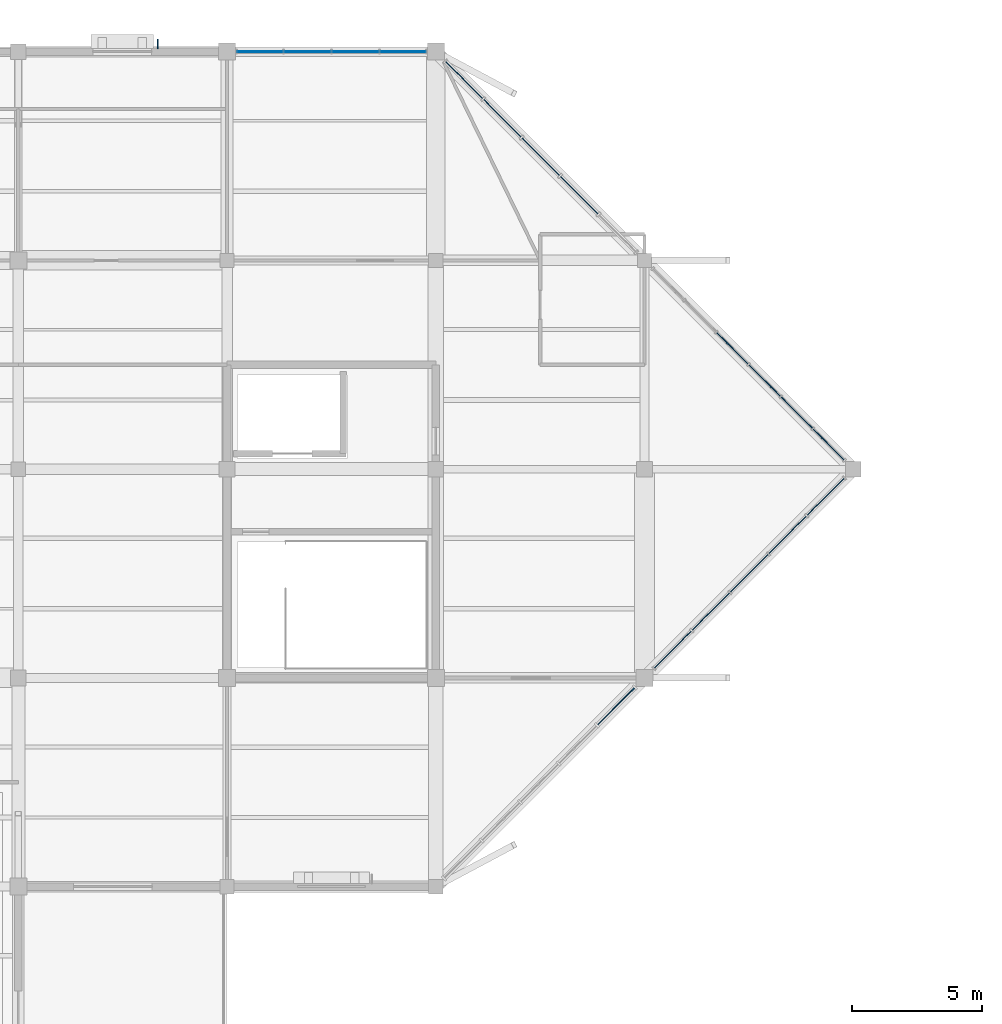
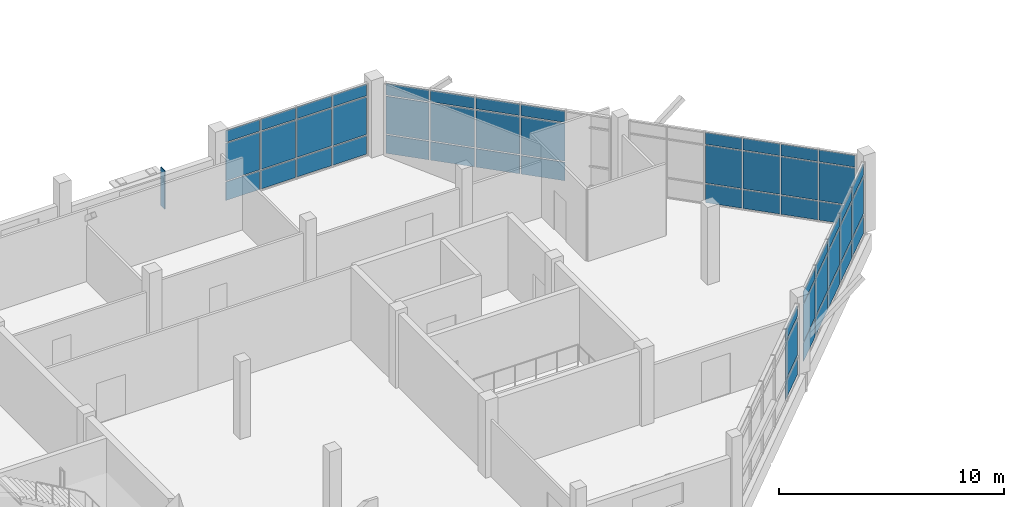
# One storey, part 56 of 72: 55 plates, 5 elements without a shape of their own.
"""IFC4 building model written with IfcOpenShell, lengths in metres."""

from ifc_helpers import new_model, si_unit, direction, frame, origin, origin_2d, place, context, subcontext, project, spatial, rectangle, extrude, material, layer, layer_set, type_object, element, aggregate, save


model = new_model("IFC4")

# Units and contexts
model_context = context("Model", 3, precision=1e-05, world=origin(), true_north=direction((0.0, 1.0)))
body_context = subcontext(model_context, "Body", "Model", "MODEL_VIEW")
ifc_project = project(units=[si_unit("LENGTHUNIT", "METRE"), si_unit("AREAUNIT", "SQUARE_METRE"), si_unit("VOLUMEUNIT", "CUBIC_METRE"), si_unit("PLANEANGLEUNIT", "RADIAN"), si_unit("MASSUNIT", "GRAM", prefix="KILO")], contexts=[model_context])

# Site, building, storey
site_placement = place(None, origin())
site = spatial("IfcSite", under=ifc_project, at=site_placement, CompositionType="ELEMENT")
building_placement = place(site_placement, origin())
building = spatial("IfcBuilding", under=site, at=building_placement, Name="Tenunan Teduh Sports Hall", CompositionType="ELEMENT")
storey_placement = place(building_placement, frame((0.0, 0.0, 15.0)))
storey = spatial("IfcBuildingStorey", under=building, at=storey_placement, Name="L03", CompositionType="ELEMENT", Elevation=15.0)

# Curtain wall, plates
ifc_material_1 = material(Name="Anodised aluminium", Category="aluminium")
curtain_wall_type = type_object("IfcCurtainWallType", Name="CW-UNIT-2", PredefinedType="NOTDEFINED", material=ifc_material_1)
curtain_wall_1_placement = place(storey_placement, origin())
curtain_wall_1 = element("IfcCurtainWall", 1, at=curtain_wall_1_placement, inside=storey, type_object=curtain_wall_type, Name="CW-CWM-175-L03-222", PredefinedType="NOTDEFINED")
ifc_material_2 = material(Name="Low-E laminated double glazing", Category="glass")
ifc_layer_1 = layer(ifc_material_2, 0.028076171875)
ifc_layer_set_1 = layer_set([ifc_layer_1], Name="Low-E laminated double glazing")
plate_type_1 = type_object("IfcPlateType", Name="CWP-GLZ-28", PredefinedType="CURTAIN_PANEL", material=ifc_layer_set_1)
plate_1_placement = place(storey_placement, frame((71.087158203125, 95.087158203125, 1.13232421875), z_axis=(0.0, 0.0, 1.0), x_axis=(0.707106781187, 0.707106781187, 0.0)))
plate_1 = element("IfcPlate", 2, at=plate_1_placement, type_object=plate_type_1, Name="CW-02 panel 1.2", PredefinedType="CURTAIN_PANEL", context=body_context, shape_type="SweptSolid", body=[
    extrude(rectangle(XDim=1.9794921875, YDim=0.028076171875, at=origin_2d()), origin(), (0.0, 0.0, 1.0), 2.034912109375),
])
plate_2_placement = place(storey_placement, frame((71.087158203125, 95.087158203125, 3.232421875), z_axis=(0.0, 0.0, 1.0), x_axis=(0.707106781187, 0.707106781187, 0.0)))
plate_2 = element("IfcPlate", 3, at=plate_2_placement, type_object=plate_type_1, Name="CW-02 panel 1.3", PredefinedType="CURTAIN_PANEL", context=body_context, shape_type="SweptSolid", body=[
    extrude(rectangle(XDim=1.9794921875, YDim=0.028076171875, at=origin_2d()), origin(), (0.0, 0.0, 1.0), 0.62255859375),
])
plate_3_placement = place(storey_placement, frame((72.54443359375, 96.54443359375, 1.13232421875), z_axis=(0.0, 0.0, 1.0), x_axis=(0.707106781187, 0.707106781187, 0.0)))
plate_3 = element("IfcPlate", 4, at=plate_3_placement, type_object=plate_type_1, Name="CW-02 panel 2.2", PredefinedType="CURTAIN_PANEL", context=body_context, shape_type="SweptSolid", body=[
    extrude(rectangle(XDim=2.01220703125, YDim=0.028076171875, at=origin_2d()), origin(), (0.0, 0.0, 1.0), 2.034912109375),
])
plate_4_placement = place(storey_placement, frame((72.54443359375, 96.54443359375, 3.232421875), z_axis=(0.0, 0.0, 1.0), x_axis=(0.707106781187, 0.707106781187, 0.0)))
plate_4 = element("IfcPlate", 5, at=plate_4_placement, type_object=plate_type_1, Name="CW-02 panel 2.3", PredefinedType="CURTAIN_PANEL", context=body_context, shape_type="SweptSolid", body=[
    extrude(rectangle(XDim=2.01220703125, YDim=0.028076171875, at=origin_2d()), origin(), (0.0, 0.0, 1.0), 0.62255859375),
])
plate_5_placement = place(storey_placement, frame((74.01318359375, 98.01318359375, 1.13232421875), z_axis=(0.0, 0.0, 1.0), x_axis=(0.707106781187, 0.707106781187, 0.0)))
plate_5 = element("IfcPlate", 6, at=plate_5_placement, type_object=plate_type_1, Name="CW-02 panel 3.2", PredefinedType="CURTAIN_PANEL", context=body_context, shape_type="SweptSolid", body=[
    extrude(rectangle(XDim=2.01220703125, YDim=0.028076171875, at=origin_2d()), origin(), (0.0, 0.0, 1.0), 2.034912109375),
])
plate_6_placement = place(storey_placement, frame((74.01318359375, 98.01318359375, 3.232421875), z_axis=(0.0, 0.0, 1.0), x_axis=(0.707106781187, 0.707106781187, 0.0)))
plate_6 = element("IfcPlate", 7, at=plate_6_placement, type_object=plate_type_1, Name="CW-02 panel 3.3", PredefinedType="CURTAIN_PANEL", context=body_context, shape_type="SweptSolid", body=[
    extrude(rectangle(XDim=2.01220703125, YDim=0.028076171875, at=origin_2d()), origin(), (0.0, 0.0, 1.0), 0.62255859375),
])
plate_7_placement = place(storey_placement, frame((75.48193359375, 99.48193359375, 1.13232421875), z_axis=(0.0, 0.0, 1.0), x_axis=(0.707106781187, 0.707106781187, 0.0)))
plate_7 = element("IfcPlate", 8, at=plate_7_placement, type_object=plate_type_1, Name="CW-02 panel 4.2", PredefinedType="CURTAIN_PANEL", context=body_context, shape_type="SweptSolid", body=[
    extrude(rectangle(XDim=2.01220703125, YDim=0.028076171875, at=origin_2d()), origin(), (0.0, 0.0, 1.0), 2.034912109375),
])
plate_8_placement = place(storey_placement, frame((75.48193359375, 99.48193359375, 3.232421875), z_axis=(0.0, 0.0, 1.0), x_axis=(0.707106781187, 0.707106781187, 0.0)))
plate_8 = element("IfcPlate", 9, at=plate_8_placement, type_object=plate_type_1, Name="CW-02 panel 4.3", PredefinedType="CURTAIN_PANEL", context=body_context, shape_type="SweptSolid", body=[
    extrude(rectangle(XDim=2.01220703125, YDim=0.028076171875, at=origin_2d()), origin(), (0.0, 0.0, 1.0), 0.62255859375),
])
plate_9_placement = place(storey_placement, frame((76.939208984375, 100.939208984375, 1.13232421875), z_axis=(0.0, 0.0, 1.0), x_axis=(0.707106781187, 0.707106781187, 0.0)))
plate_9 = element("IfcPlate", 10, at=plate_9_placement, type_object=plate_type_1, Name="CW-02 panel 5.2", PredefinedType="CURTAIN_PANEL", context=body_context, shape_type="SweptSolid", body=[
    extrude(rectangle(XDim=1.9794921875, YDim=0.028076171875, at=origin_2d()), origin(), (0.0, 0.0, 1.0), 2.034912109375),
])
plate_10_placement = place(storey_placement, frame((76.939208984375, 100.939208984375, 3.232421875), z_axis=(0.0, 0.0, 1.0), x_axis=(0.707106781187, 0.707106781187, 0.0)))
plate_10 = element("IfcPlate", 11, at=plate_10_placement, type_object=plate_type_1, Name="CW-02 panel 5.3", PredefinedType="CURTAIN_PANEL", context=body_context, shape_type="SweptSolid", body=[
    extrude(rectangle(XDim=1.9794921875, YDim=0.028076171875, at=origin_2d()), origin(), (0.0, 0.0, 1.0), 0.62255859375),
])

curtain_wall_2_placement = place(storey_placement, origin())
curtain_wall_2 = element("IfcCurtainWall", 12, at=curtain_wall_2_placement, inside=storey, type_object=curtain_wall_type, Name="CW-CWM-200-L03-224", PredefinedType="NOTDEFINED")
plate_11_placement = place(storey_placement, frame((67.500244140625, 112.499755859375, 1.134765625), z_axis=(0.0, 0.0, 1.0), x_axis=(-0.707106781187, 0.707106781187, 0.0)))
plate_11 = element("IfcPlate", 13, at=plate_11_placement, type_object=plate_type_1, Name="CW-02 panel 2.2", PredefinedType="CURTAIN_PANEL", context=body_context, shape_type="SweptSolid", body=[
    extrude(rectangle(XDim=2.0146484375, YDim=0.028076171875, at=origin_2d()), origin(), (0.0, 0.0, 1.0), 2.030029296875),
])
plate_12_placement = place(storey_placement, frame((67.500244140625, 112.499755859375, 3.23486328125), z_axis=(0.0, 0.0, 1.0), x_axis=(-0.707106781187, 0.707106781187, 0.0)))
plate_12 = element("IfcPlate", 14, at=plate_12_placement, type_object=plate_type_1, Name="CW-02 panel 2.3", PredefinedType="CURTAIN_PANEL", context=body_context, shape_type="SweptSolid", body=[
    extrude(rectangle(XDim=2.0146484375, YDim=0.028076171875, at=origin_2d()), origin(), (0.0, 0.0, 1.0), 0.614990234375),
])
plate_13_placement = place(storey_placement, frame((66.0263671875, 113.9736328125, 1.134765625), z_axis=(0.0, 0.0, 1.0), x_axis=(-0.707106781187, 0.707106781187, 0.0)))
plate_13 = element("IfcPlate", 15, at=plate_13_placement, type_object=plate_type_1, Name="CW-02 panel 3.2", PredefinedType="CURTAIN_PANEL", context=body_context, shape_type="SweptSolid", body=[
    extrude(rectangle(XDim=2.0146484375, YDim=0.028076171875, at=origin_2d()), origin(), (0.0, 0.0, 1.0), 2.030029296875),
])
plate_14_placement = place(storey_placement, frame((66.0263671875, 113.9736328125, 3.23486328125), z_axis=(0.0, 0.0, 1.0), x_axis=(-0.707106781187, 0.707106781187, 0.0)))
plate_14 = element("IfcPlate", 16, at=plate_14_placement, type_object=plate_type_1, Name="CW-02 panel 3.3", PredefinedType="CURTAIN_PANEL", context=body_context, shape_type="SweptSolid", body=[
    extrude(rectangle(XDim=2.0146484375, YDim=0.028076171875, at=origin_2d()), origin(), (0.0, 0.0, 1.0), 0.614990234375),
])
plate_15_placement = place(storey_placement, frame((64.55224609375, 115.44775390625, 1.134765625), z_axis=(0.0, 0.0, 1.0), x_axis=(-0.707106781187, 0.707106781187, 0.0)))
plate_15 = element("IfcPlate", 17, at=plate_15_placement, type_object=plate_type_1, Name="CW-02 panel 4.2", PredefinedType="CURTAIN_PANEL", context=body_context, shape_type="SweptSolid", body=[
    extrude(rectangle(XDim=2.0146484375, YDim=0.028076171875, at=origin_2d()), origin(), (0.0, 0.0, 1.0), 2.030029296875),
])
plate_16_placement = place(storey_placement, frame((64.55224609375, 115.44775390625, 3.23486328125), z_axis=(0.0, 0.0, 1.0), x_axis=(-0.707106781187, 0.707106781187, 0.0)))
plate_16 = element("IfcPlate", 18, at=plate_16_placement, type_object=plate_type_1, Name="CW-02 panel 4.3", PredefinedType="CURTAIN_PANEL", context=body_context, shape_type="SweptSolid", body=[
    extrude(rectangle(XDim=2.0146484375, YDim=0.028076171875, at=origin_2d()), origin(), (0.0, 0.0, 1.0), 0.614990234375),
])
plate_17_placement = place(storey_placement, frame((63.090576171875, 116.909423828125, 1.134765625), z_axis=(0.0, 0.0, 1.0), x_axis=(-0.707106781187, 0.707106781187, 0.0)))
plate_17 = element("IfcPlate", 19, at=plate_17_placement, type_object=plate_type_1, Name="CW-02 panel 5.2", PredefinedType="CURTAIN_PANEL", context=body_context, shape_type="SweptSolid", body=[
    extrude(rectangle(XDim=1.9794921875, YDim=0.028076171875, at=origin_2d()), origin(), (0.0, 0.0, 1.0), 2.030029296875),
])
plate_18_placement = place(storey_placement, frame((63.090576171875, 116.909423828125, 3.23486328125), z_axis=(0.0, 0.0, 1.0), x_axis=(-0.707106781187, 0.707106781187, 0.0)))
plate_18 = element("IfcPlate", 20, at=plate_18_placement, type_object=plate_type_1, Name="CW-02 panel 5.3", PredefinedType="CURTAIN_PANEL", context=body_context, shape_type="SweptSolid", body=[
    extrude(rectangle(XDim=1.9794921875, YDim=0.028076171875, at=origin_2d()), origin(), (0.0, 0.0, 1.0), 0.614990234375),
])

curtain_wall_3_placement = place(storey_placement, origin())
curtain_wall_3 = element("IfcCurtainWall", 21, at=curtain_wall_3_placement, inside=storey, type_object=curtain_wall_type, Name="CW-CWM-175-L03-226", PredefinedType="NOTDEFINED")
plate_19_placement = place(storey_placement, frame((55.260009765625, 118.0, 1.13232421875), z_axis=(0.0, 0.0, 1.0), x_axis=(1.0, 0.0, 0.0)))
plate_19 = element("IfcPlate", 22, at=plate_19_placement, type_object=plate_type_1, Name="CW-02 panel 1.2", PredefinedType="CURTAIN_PANEL", context=body_context, shape_type="SweptSolid", body=[
    extrude(rectangle(XDim=1.739990234375, YDim=0.028076171875, at=origin_2d()), origin(), (0.0, 0.0, 1.0), 2.034912109375),
])
plate_20_placement = place(storey_placement, frame((55.260009765625, 118.0, 3.232421875), z_axis=(0.0, 0.0, 1.0), x_axis=(1.0, 0.0, 0.0)))
plate_20 = element("IfcPlate", 23, at=plate_20_placement, type_object=plate_type_1, Name="CW-02 panel 1.3", PredefinedType="CURTAIN_PANEL", context=body_context, shape_type="SweptSolid", body=[
    extrude(rectangle(XDim=1.739990234375, YDim=0.028076171875, at=origin_2d()), origin(), (0.0, 0.0, 1.0), 0.62255859375),
])
plate_21_placement = place(storey_placement, frame((57.081298828125, 118.0, 1.13232421875), z_axis=(0.0, 0.0, 1.0), x_axis=(1.0, 0.0, 0.0)))
plate_21 = element("IfcPlate", 24, at=plate_21_placement, type_object=plate_type_1, Name="CW-02 panel 2.2", PredefinedType="CURTAIN_PANEL", context=body_context, shape_type="SweptSolid", body=[
    extrude(rectangle(XDim=1.7724609375, YDim=0.028076171875, at=origin_2d()), origin(), (0.0, 0.0, 1.0), 2.034912109375),
])
plate_22_placement = place(storey_placement, frame((57.081298828125, 118.0, 3.232421875), z_axis=(0.0, 0.0, 1.0), x_axis=(1.0, 0.0, 0.0)))
plate_22 = element("IfcPlate", 25, at=plate_22_placement, type_object=plate_type_1, Name="CW-02 panel 2.3", PredefinedType="CURTAIN_PANEL", context=body_context, shape_type="SweptSolid", body=[
    extrude(rectangle(XDim=1.7724609375, YDim=0.028076171875, at=origin_2d()), origin(), (0.0, 0.0, 1.0), 0.62255859375),
])
plate_23_placement = place(storey_placement, frame((58.918701171875, 118.0, 1.13232421875), z_axis=(0.0, 0.0, 1.0), x_axis=(1.0, 0.0, 0.0)))
plate_23 = element("IfcPlate", 26, at=plate_23_placement, type_object=plate_type_1, Name="CW-02 panel 3.2", PredefinedType="CURTAIN_PANEL", context=body_context, shape_type="SweptSolid", body=[
    extrude(rectangle(XDim=1.7724609375, YDim=0.028076171875, at=origin_2d()), origin(), (0.0, 0.0, 1.0), 2.034912109375),
])
plate_24_placement = place(storey_placement, frame((58.918701171875, 118.0, 3.232421875), z_axis=(0.0, 0.0, 1.0), x_axis=(1.0, 0.0, 0.0)))
plate_24 = element("IfcPlate", 27, at=plate_24_placement, type_object=plate_type_1, Name="CW-02 panel 3.3", PredefinedType="CURTAIN_PANEL", context=body_context, shape_type="SweptSolid", body=[
    extrude(rectangle(XDim=1.7724609375, YDim=0.028076171875, at=origin_2d()), origin(), (0.0, 0.0, 1.0), 0.62255859375),
])
plate_25_placement = place(storey_placement, frame((60.739990234375, 118.0, 1.13232421875), z_axis=(0.0, 0.0, 1.0), x_axis=(1.0, 0.0, 0.0)))
plate_25 = element("IfcPlate", 28, at=plate_25_placement, type_object=plate_type_1, Name="CW-02 panel 4.2", PredefinedType="CURTAIN_PANEL", context=body_context, shape_type="SweptSolid", body=[
    extrude(rectangle(XDim=1.739990234375, YDim=0.028076171875, at=origin_2d()), origin(), (0.0, 0.0, 1.0), 2.034912109375),
])
plate_26_placement = place(storey_placement, frame((60.739990234375, 118.0, 3.232421875), z_axis=(0.0, 0.0, 1.0), x_axis=(1.0, 0.0, 0.0)))
plate_26 = element("IfcPlate", 29, at=plate_26_placement, type_object=plate_type_1, Name="CW-02 panel 4.3", PredefinedType="CURTAIN_PANEL", context=body_context, shape_type="SweptSolid", body=[
    extrude(rectangle(XDim=1.739990234375, YDim=0.028076171875, at=origin_2d()), origin(), (0.0, 0.0, 1.0), 0.62255859375),
])

curtain_wall_4_placement = place(storey_placement, origin())
curtain_wall_4 = element("IfcCurtainWall", 30, at=curtain_wall_4_placement, inside=storey, type_object=curtain_wall_type, Name="CW-CWM-220-L03-221", PredefinedType="NOTDEFINED")
ifc_material_3 = material(Name="Solar-control laminated glazing", Category="glass")
ifc_layer_2 = layer(ifc_material_3, 0.031982421875)
ifc_layer_set_2 = layer_set([ifc_layer_2], Name="Solar-control laminated glazing")
plate_type_2 = type_object("IfcPlateType", Name="CWP-GLZ-32", PredefinedType="CURTAIN_PANEL", material=ifc_layer_set_2)
plate_27_placement = place(storey_placement, frame((68.908447265625, 92.908447265625, 1.137451171875), z_axis=(0.0, 0.0, 1.0), x_axis=(0.707101983943, 0.707111578398, 0.0)))
plate_27 = element("IfcPlate", 31, at=plate_27_placement, type_object=plate_type_2, Name="CW-02 panel 5.2", PredefinedType="CURTAIN_PANEL", context=body_context, shape_type="SweptSolid", body=[
    extrude(rectangle(XDim=1.971923828125, YDim=0.031982421875, at=origin_2d()), origin(), (0.0, 0.0, 1.0), 2.02490234375),
])
plate_28_placement = place(storey_placement, frame((68.908447265625, 92.908447265625, 3.237548828125), z_axis=(0.0, 0.0, 1.0), x_axis=(0.707101983943, 0.707111578398, 0.0)))
plate_28 = element("IfcPlate", 32, at=plate_28_placement, type_object=plate_type_2, Name="CW-02 panel 5.3", PredefinedType="CURTAIN_PANEL", context=body_context, shape_type="SweptSolid", body=[
    extrude(rectangle(XDim=1.971923828125, YDim=0.031982421875, at=origin_2d()), origin(), (0.0, 0.0, 1.0), 0.607421875),
])

curtain_wall_5_placement = place(storey_placement, origin())
curtain_wall_5 = element("IfcCurtainWall", 33, at=curtain_wall_5_placement, inside=storey, type_object=curtain_wall_type, Name="CW-CWM-150-L03-223", PredefinedType="NOTDEFINED")
plate_29_placement = place(storey_placement, frame((77.05810546875, 102.94189453125, 1.1298828125), z_axis=(0.0, 0.0, 1.0), x_axis=(-0.707106781187, 0.707106781187, 0.0)))
plate_29 = element("IfcPlate", 34, at=plate_29_placement, type_object=plate_type_2, Name="CW-02 panel 1.2", PredefinedType="CURTAIN_PANEL", context=body_context, shape_type="SweptSolid", body=[
    extrude(rectangle(XDim=1.6533203125, YDim=0.031982421875, at=origin_2d()), origin(), (0.0, 0.0, 1.0), 2.0400390625),
])
plate_30_placement = place(storey_placement, frame((77.05810546875, 102.94189453125, 3.22998046875), z_axis=(0.0, 0.0, 1.0), x_axis=(-0.707106781187, 0.707106781187, 0.0)))
plate_30 = element("IfcPlate", 35, at=plate_30_placement, type_object=plate_type_2, Name="CW-02 panel 1.3", PredefinedType="CURTAIN_PANEL", context=body_context, shape_type="SweptSolid", body=[
    extrude(rectangle(XDim=1.6533203125, YDim=0.031982421875, at=origin_2d()), origin(), (0.0, 0.0, 1.0), 0.6298828125),
])
plate_31_placement = place(storey_placement, frame((75.8359375, 104.1640625, 1.1298828125), z_axis=(0.0, 0.0, 1.0), x_axis=(-0.707106781187, 0.707106781187, 0.0)))
plate_31 = element("IfcPlate", 36, at=plate_31_placement, type_object=plate_type_2, Name="CW-02 panel 2.2", PredefinedType="CURTAIN_PANEL", context=body_context, shape_type="SweptSolid", body=[
    extrude(rectangle(XDim=1.683349609375, YDim=0.031982421875, at=origin_2d()), origin(), (0.0, 0.0, 1.0), 2.0400390625),
])
plate_32_placement = place(storey_placement, frame((75.8359375, 104.1640625, 3.22998046875), z_axis=(0.0, 0.0, 1.0), x_axis=(-0.707106781187, 0.707106781187, 0.0)))
plate_32 = element("IfcPlate", 37, at=plate_32_placement, type_object=plate_type_2, Name="CW-02 panel 2.3", PredefinedType="CURTAIN_PANEL", context=body_context, shape_type="SweptSolid", body=[
    extrude(rectangle(XDim=1.683349609375, YDim=0.031982421875, at=origin_2d()), origin(), (0.0, 0.0, 1.0), 0.6298828125),
])
plate_33_placement = place(storey_placement, frame((74.603271484375, 105.396728515625, 1.1298828125), z_axis=(0.0, 0.0, 1.0), x_axis=(-0.707106781187, 0.707106781187, 0.0)))
plate_33 = element("IfcPlate", 38, at=plate_33_placement, type_object=plate_type_2, Name="CW-02 panel 3.2", PredefinedType="CURTAIN_PANEL", context=body_context, shape_type="SweptSolid", body=[
    extrude(rectangle(XDim=1.683349609375, YDim=0.031982421875, at=origin_2d()), origin(), (0.0, 0.0, 1.0), 2.0400390625),
])
plate_34_placement = place(storey_placement, frame((74.603271484375, 105.396728515625, 3.22998046875), z_axis=(0.0, 0.0, 1.0), x_axis=(-0.707106781187, 0.707106781187, 0.0)))
plate_34 = element("IfcPlate", 39, at=plate_34_placement, type_object=plate_type_2, Name="CW-02 panel 3.3", PredefinedType="CURTAIN_PANEL", context=body_context, shape_type="SweptSolid", body=[
    extrude(rectangle(XDim=1.683349609375, YDim=0.031982421875, at=origin_2d()), origin(), (0.0, 0.0, 1.0), 0.6298828125),
])
plate_35_placement = place(storey_placement, frame((73.37060546875, 106.62939453125, 1.1298828125), z_axis=(0.0, 0.0, 1.0), x_axis=(-0.707106781187, 0.707106781187, 0.0)))
plate_35 = element("IfcPlate", 40, at=plate_35_placement, type_object=plate_type_2, Name="CW-02 panel 4.2", PredefinedType="CURTAIN_PANEL", context=body_context, shape_type="SweptSolid", body=[
    extrude(rectangle(XDim=1.683349609375, YDim=0.031982421875, at=origin_2d()), origin(), (0.0, 0.0, 1.0), 2.0400390625),
])
plate_36_placement = place(storey_placement, frame((73.37060546875, 106.62939453125, 3.22998046875), z_axis=(0.0, 0.0, 1.0), x_axis=(-0.707106781187, 0.707106781187, 0.0)))
plate_36 = element("IfcPlate", 41, at=plate_36_placement, type_object=plate_type_2, Name="CW-02 panel 4.3", PredefinedType="CURTAIN_PANEL", context=body_context, shape_type="SweptSolid", body=[
    extrude(rectangle(XDim=1.683349609375, YDim=0.031982421875, at=origin_2d()), origin(), (0.0, 0.0, 1.0), 0.6298828125),
])

# Plate
ifc_material_4 = material(Name="Insulated aluminium spandrel panel", Category="aluminium")
ifc_layer_3 = layer(ifc_material_4, 0.044921875)
ifc_layer_set_3 = layer_set([ifc_layer_3], Name="Insulated aluminium spandrel panel")
plate_type_3 = type_object("IfcPlateType", Name="CWP-SPN-45", PredefinedType="CURTAIN_PANEL", material=ifc_layer_set_3)
plate_37_placement = place(storey_placement, frame((68.908447265625, 92.908447265625, 0.0751953125), z_axis=(0.0, 0.0, 1.0), x_axis=(0.707101983943, 0.707111578398, 0.0)))
plate_37 = element("IfcPlate", 42, at=plate_37_placement, type_object=plate_type_3, Name="CW-02 panel 5.1", PredefinedType="CURTAIN_PANEL", context=body_context, shape_type="SweptSolid", body=[
    extrude(rectangle(XDim=1.971923828125, YDim=0.031982421875, at=origin_2d()), origin(), (0.0, 0.0, 1.0), 0.987548828125),
])

aggregate(curtain_wall_4, [plate_37, plate_27, plate_28])

plate_38_placement = place(storey_placement, frame((71.087158203125, 95.087158203125, 0.06494140625), z_axis=(0.0, 0.0, 1.0), x_axis=(0.707106781187, 0.707106781187, 0.0)))
plate_38 = element("IfcPlate", 43, at=plate_38_placement, type_object=plate_type_3, Name="CW-02 panel 1.1", PredefinedType="CURTAIN_PANEL", context=body_context, shape_type="SweptSolid", body=[
    extrude(rectangle(XDim=1.9794921875, YDim=0.028076171875, at=origin_2d()), origin(), (0.0, 0.0, 1.0), 1.00244140625),
])

plate_39_placement = place(storey_placement, frame((72.54443359375, 96.54443359375, 0.06494140625), z_axis=(0.0, 0.0, 1.0), x_axis=(0.707106781187, 0.707106781187, 0.0)))
plate_39 = element("IfcPlate", 44, at=plate_39_placement, type_object=plate_type_3, Name="CW-02 panel 2.1", PredefinedType="CURTAIN_PANEL", context=body_context, shape_type="SweptSolid", body=[
    extrude(rectangle(XDim=2.01220703125, YDim=0.028076171875, at=origin_2d()), origin(), (0.0, 0.0, 1.0), 1.00244140625),
])

plate_40_placement = place(storey_placement, frame((74.01318359375, 98.01318359375, 0.06494140625), z_axis=(0.0, 0.0, 1.0), x_axis=(0.707106781187, 0.707106781187, 0.0)))
plate_40 = element("IfcPlate", 45, at=plate_40_placement, type_object=plate_type_3, Name="CW-02 panel 3.1", PredefinedType="CURTAIN_PANEL", context=body_context, shape_type="SweptSolid", body=[
    extrude(rectangle(XDim=2.01220703125, YDim=0.028076171875, at=origin_2d()), origin(), (0.0, 0.0, 1.0), 1.00244140625),
])

plate_41_placement = place(storey_placement, frame((75.48193359375, 99.48193359375, 0.06494140625), z_axis=(0.0, 0.0, 1.0), x_axis=(0.707106781187, 0.707106781187, 0.0)))
plate_41 = element("IfcPlate", 46, at=plate_41_placement, type_object=plate_type_3, Name="CW-02 panel 4.1", PredefinedType="CURTAIN_PANEL", context=body_context, shape_type="SweptSolid", body=[
    extrude(rectangle(XDim=2.01220703125, YDim=0.028076171875, at=origin_2d()), origin(), (0.0, 0.0, 1.0), 1.00244140625),
])

plate_42_placement = place(storey_placement, frame((76.939208984375, 100.939208984375, 0.06494140625), z_axis=(0.0, 0.0, 1.0), x_axis=(0.707106781187, 0.707106781187, 0.0)))
plate_42 = element("IfcPlate", 47, at=plate_42_placement, type_object=plate_type_3, Name="CW-02 panel 5.1", PredefinedType="CURTAIN_PANEL", context=body_context, shape_type="SweptSolid", body=[
    extrude(rectangle(XDim=1.9794921875, YDim=0.028076171875, at=origin_2d()), origin(), (0.0, 0.0, 1.0), 1.00244140625),
])

aggregate(curtain_wall_1, [plate_38, plate_1, plate_2, plate_39, plate_3, plate_4, plate_40, plate_5, plate_6, plate_41, plate_7, plate_8, plate_42, plate_9, plate_10])

plate_43_placement = place(storey_placement, frame((77.05810546875, 102.94189453125, 0.06005859375), z_axis=(0.0, 0.0, 1.0), x_axis=(-0.707106781187, 0.707106781187, 0.0)))
plate_43 = element("IfcPlate", 48, at=plate_43_placement, type_object=plate_type_3, Name="CW-02 panel 1.1", PredefinedType="CURTAIN_PANEL", context=body_context, shape_type="SweptSolid", body=[
    extrude(rectangle(XDim=1.6533203125, YDim=0.031982421875, at=origin_2d()), origin(), (0.0, 0.0, 1.0), 1.010009765625),
])

plate_44_placement = place(storey_placement, frame((75.8359375, 104.1640625, 0.06005859375), z_axis=(0.0, 0.0, 1.0), x_axis=(-0.707106781187, 0.707106781187, 0.0)))
plate_44 = element("IfcPlate", 49, at=plate_44_placement, type_object=plate_type_3, Name="CW-02 panel 2.1", PredefinedType="CURTAIN_PANEL", context=body_context, shape_type="SweptSolid", body=[
    extrude(rectangle(XDim=1.683349609375, YDim=0.031982421875, at=origin_2d()), origin(), (0.0, 0.0, 1.0), 1.010009765625),
])

plate_45_placement = place(storey_placement, frame((74.603271484375, 105.396728515625, 0.06005859375), z_axis=(0.0, 0.0, 1.0), x_axis=(-0.707106781187, 0.707106781187, 0.0)))
plate_45 = element("IfcPlate", 50, at=plate_45_placement, type_object=plate_type_3, Name="CW-02 panel 3.1", PredefinedType="CURTAIN_PANEL", context=body_context, shape_type="SweptSolid", body=[
    extrude(rectangle(XDim=1.683349609375, YDim=0.031982421875, at=origin_2d()), origin(), (0.0, 0.0, 1.0), 1.010009765625),
])

plate_46_placement = place(storey_placement, frame((73.37060546875, 106.62939453125, 0.06005859375), z_axis=(0.0, 0.0, 1.0), x_axis=(-0.707106781187, 0.707106781187, 0.0)))
plate_46 = element("IfcPlate", 51, at=plate_46_placement, type_object=plate_type_3, Name="CW-02 panel 4.1", PredefinedType="CURTAIN_PANEL", context=body_context, shape_type="SweptSolid", body=[
    extrude(rectangle(XDim=1.683349609375, YDim=0.031982421875, at=origin_2d()), origin(), (0.0, 0.0, 1.0), 1.010009765625),
])

aggregate(curtain_wall_5, [plate_43, plate_29, plate_30, plate_44, plate_31, plate_32, plate_45, plate_33, plate_34, plate_46, plate_35, plate_36])

plate_47_placement = place(storey_placement, frame((67.500244140625, 112.499755859375, 0.06982421875), z_axis=(0.0, 0.0, 1.0), x_axis=(-0.707106781187, 0.707106781187, 0.0)))
plate_47 = element("IfcPlate", 52, at=plate_47_placement, type_object=plate_type_3, Name="CW-02 panel 2.1", PredefinedType="CURTAIN_PANEL", context=body_context, shape_type="SweptSolid", body=[
    extrude(rectangle(XDim=2.0146484375, YDim=0.028076171875, at=origin_2d()), origin(), (0.0, 0.0, 1.0), 0.9951171875),
])

plate_48_placement = place(storey_placement, frame((66.0263671875, 113.9736328125, 0.06982421875), z_axis=(0.0, 0.0, 1.0), x_axis=(-0.707106781187, 0.707106781187, 0.0)))
plate_48 = element("IfcPlate", 53, at=plate_48_placement, type_object=plate_type_3, Name="CW-02 panel 3.1", PredefinedType="CURTAIN_PANEL", context=body_context, shape_type="SweptSolid", body=[
    extrude(rectangle(XDim=2.0146484375, YDim=0.028076171875, at=origin_2d()), origin(), (0.0, 0.0, 1.0), 0.9951171875),
])

plate_49_placement = place(storey_placement, frame((64.55224609375, 115.44775390625, 0.06982421875), z_axis=(0.0, 0.0, 1.0), x_axis=(-0.707106781187, 0.707106781187, 0.0)))
plate_49 = element("IfcPlate", 54, at=plate_49_placement, type_object=plate_type_3, Name="CW-02 panel 4.1", PredefinedType="CURTAIN_PANEL", context=body_context, shape_type="SweptSolid", body=[
    extrude(rectangle(XDim=2.0146484375, YDim=0.028076171875, at=origin_2d()), origin(), (0.0, 0.0, 1.0), 0.9951171875),
])

plate_50_placement = place(storey_placement, frame((63.090576171875, 116.909423828125, 0.06982421875), z_axis=(0.0, 0.0, 1.0), x_axis=(-0.707106781187, 0.707106781187, 0.0)))
plate_50 = element("IfcPlate", 55, at=plate_50_placement, type_object=plate_type_3, Name="CW-02 panel 5.1", PredefinedType="CURTAIN_PANEL", context=body_context, shape_type="SweptSolid", body=[
    extrude(rectangle(XDim=1.9794921875, YDim=0.028076171875, at=origin_2d()), origin(), (0.0, 0.0, 1.0), 0.9951171875),
])

aggregate(curtain_wall_2, [plate_47, plate_11, plate_12, plate_48, plate_13, plate_14, plate_49, plate_15, plate_16, plate_50, plate_17, plate_18])

plate_51_placement = place(storey_placement, frame((55.260009765625, 118.0, 0.06494140625), z_axis=(0.0, 0.0, 1.0), x_axis=(1.0, 0.0, 0.0)))
plate_51 = element("IfcPlate", 56, at=plate_51_placement, type_object=plate_type_3, Name="CW-02 panel 1.1", PredefinedType="CURTAIN_PANEL", context=body_context, shape_type="SweptSolid", body=[
    extrude(rectangle(XDim=1.739990234375, YDim=0.028076171875, at=origin_2d()), origin(), (0.0, 0.0, 1.0), 1.00244140625),
])

plate_52_placement = place(storey_placement, frame((57.081298828125, 118.0, 0.06494140625), z_axis=(0.0, 0.0, 1.0), x_axis=(1.0, 0.0, 0.0)))
plate_52 = element("IfcPlate", 57, at=plate_52_placement, type_object=plate_type_3, Name="CW-02 panel 2.1", PredefinedType="CURTAIN_PANEL", context=body_context, shape_type="SweptSolid", body=[
    extrude(rectangle(XDim=1.7724609375, YDim=0.028076171875, at=origin_2d()), origin(), (0.0, 0.0, 1.0), 1.00244140625),
])

plate_53_placement = place(storey_placement, frame((58.918701171875, 118.0, 0.06494140625), z_axis=(0.0, 0.0, 1.0), x_axis=(1.0, 0.0, 0.0)))
plate_53 = element("IfcPlate", 58, at=plate_53_placement, type_object=plate_type_3, Name="CW-02 panel 3.1", PredefinedType="CURTAIN_PANEL", context=body_context, shape_type="SweptSolid", body=[
    extrude(rectangle(XDim=1.7724609375, YDim=0.028076171875, at=origin_2d()), origin(), (0.0, 0.0, 1.0), 1.00244140625),
])

plate_54_placement = place(storey_placement, frame((60.739990234375, 118.0, 0.06494140625), z_axis=(0.0, 0.0, 1.0), x_axis=(1.0, 0.0, 0.0)))
plate_54 = element("IfcPlate", 59, at=plate_54_placement, type_object=plate_type_3, Name="CW-02 panel 4.1", PredefinedType="CURTAIN_PANEL", context=body_context, shape_type="SweptSolid", body=[
    extrude(rectangle(XDim=1.739990234375, YDim=0.028076171875, at=origin_2d()), origin(), (0.0, 0.0, 1.0), 1.00244140625),
])

aggregate(curtain_wall_3, [plate_51, plate_19, plate_20, plate_52, plate_21, plate_22, plate_53, plate_23, plate_24, plate_54, plate_25, plate_26])

ifc_material_5 = material(Name="Anodised aluminium", Category="aluminium")
ifc_layer_4 = layer(ifc_material_5, 1.89990234375)
ifc_layer_set_4 = layer_set([ifc_layer_4], Name="Anodised aluminium")
plate_type_4 = type_object("IfcPlateType", Name="PLT-FIN-1", PredefinedType="SHEET", material=ifc_layer_set_4)
plate_55_placement = place(storey_placement, frame((51.35009765625, 118.300048828125, 0.580078125), z_axis=(0.0, 0.0, 1.0), x_axis=(1.0, 0.0, 0.0)))
element("IfcPlate", 60, at=plate_55_placement, inside=storey, type_object=plate_type_4, Name="PLT-FIN-L03-061", PredefinedType="SHEET", context=body_context, shape_type="SweptSolid", body=[
    extrude(rectangle(XDim=0.0400390625, YDim=0.360107421875, at=origin_2d()), origin(), (0.0, 0.0, 1.0), 2.090087890625),
])

save(model, "model.ifc")
